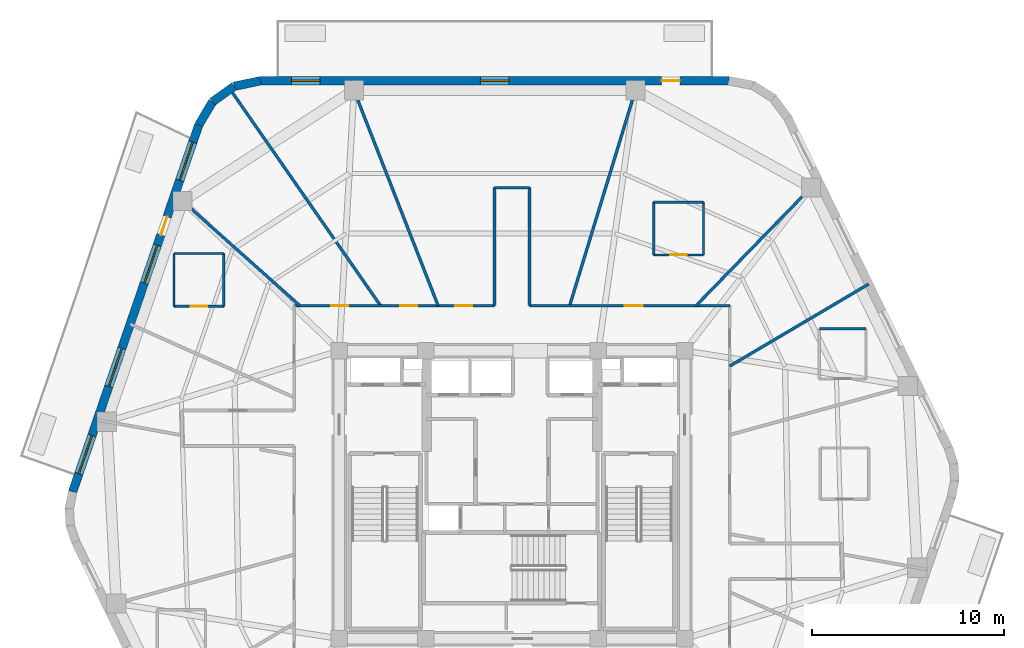
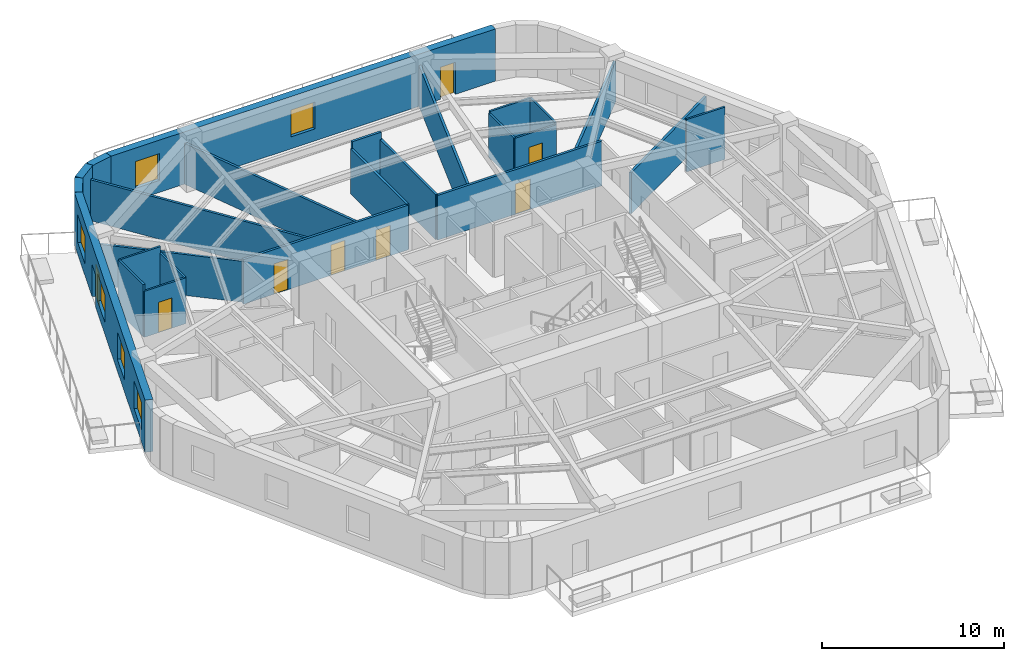
# One storey, part 6 of 9: 25 walls, 8 doors, 6 windows, 14 openings.
"""IFC4 building model written with IfcOpenShell, lengths in metres."""

from ifc_helpers import new_model, si_unit, direction, frame, frame_2d, origin, place, context, subcontext, project, spatial, rectangle, extrude, material, layer, layer_set, type_object, element, fill, save


model = new_model("IFC4")

# Units and contexts
model_context = context("Model", 3, precision=1e-05, world=origin(), true_north=direction((0.0, 1.0)))
body_context = subcontext(model_context, "Body", "Model", "MODEL_VIEW")
ifc_project = project(units=[si_unit("LENGTHUNIT", "METRE"), si_unit("AREAUNIT", "SQUARE_METRE"), si_unit("VOLUMEUNIT", "CUBIC_METRE"), si_unit("PLANEANGLEUNIT", "RADIAN"), si_unit("MASSUNIT", "GRAM", prefix="KILO")], contexts=[model_context])

# Site, building, storey
site_placement = place(None, origin())
site = spatial("IfcSite", under=ifc_project, at=site_placement, CompositionType="ELEMENT")
building_placement = place(site_placement, origin())
building = spatial("IfcBuilding", under=site, at=building_placement, Name="Kilnhurst Terrace Hotel", CompositionType="ELEMENT")
storey_placement = place(building_placement, frame((0.0, 0.0, 229.300048828125)))
storey = spatial("IfcBuildingStorey", under=building, at=storey_placement, Name="L57", CompositionType="ELEMENT", Elevation=229.300048828125)

# Walls
ifc_material_1 = material(Name="Precast concrete C40/50", Category="concrete")
ifc_layer_1 = layer(ifc_material_1, 0.449951171875, Name="Precast concrete C40/50")
ifc_layer_set_1 = layer_set([ifc_layer_1], Name="Precast concrete C40/50")
wall_type_1 = type_object("IfcWallType", Name="WL-BRK-450", PredefinedType="SOLIDWALL", material=ifc_layer_set_1)
wall_1_placement = place(storey_placement, frame((-13.1015625, 21.574951171875, 0.0), z_axis=(0.0, 0.0, 1.0), x_axis=(-0.978757421505, -0.205021730188, 0.0)))
element("IfcWall", 1, at=wall_1_placement, inside=storey, type_object=wall_type_1, Name="L57 Rounded Corner Brick Wall C5.1", PredefinedType="SOLIDWALL", context=body_context, shape_type="SweptSolid", body=[
    extrude(rectangle(XDim=1.40625, YDim=0.449951171875, at=frame_2d((0.703125, 0.0))), origin(), (0.0, 0.0, 1.0), 3.5),
])
wall_2_placement = place(storey_placement, frame((-14.47802734375, 21.28662109375, 0.0), z_axis=(0.0, 0.0, 1.0), x_axis=(-0.813888518617, -0.58102106611, 0.0)))
element("IfcWall", 2, at=wall_2_placement, inside=storey, type_object=wall_type_1, Name="L57 Rounded Corner Brick Wall C5.2", PredefinedType="SOLIDWALL", context=body_context, shape_type="SweptSolid", body=[
    extrude(rectangle(XDim=1.3828125, YDim=0.449951171875, at=frame_2d((0.69140625, 0.0))), origin(), (0.0, 0.0, 1.0), 3.5),
])
wall_3_placement = place(storey_placement, frame((-15.603515625, 20.483154296875, 0.0), z_axis=(0.0, 0.0, 1.0), x_axis=(-0.512222149036, -0.858852996756, 0.0)))
element("IfcWall", 3, at=wall_3_placement, inside=storey, type_object=wall_type_1, Name="L57 Rounded Corner Brick Wall C5.3", PredefinedType="SOLIDWALL", context=body_context, shape_type="SweptSolid", body=[
    extrude(rectangle(XDim=1.406494140625, YDim=0.449951171875, at=frame_2d((0.703125, 0.0))), origin(), (0.0, 0.0, 1.0), 3.5),
])

# Wall, openings, door, windows
wall_4_placement = place(storey_placement, frame((11.297607421875, 21.574951171875, 0.0), z_axis=(0.0, 0.0, 1.0), x_axis=(-1.0, 0.0, 0.0)))
wall_4 = element("IfcWall", 4, at=wall_4_placement, inside=storey, type_object=wall_type_1, Name="L57 Exterior Brick Facade Wall F4", PredefinedType="SOLIDWALL", context=body_context, shape_type="SweptSolid", body=[
    extrude(rectangle(XDim=24.399169921875, YDim=0.449951171875, at=frame_2d((12.19970703125, 0.0))), origin(), (0.0, 0.0, 1.0), 3.5),
])
opening_1_placement = place(wall_4_placement, frame((2.550048828125, 0.0, 0.0)))
opening_1 = element("IfcOpeningElement", 5, at=opening_1_placement, cuts=wall_4, Name="Opening BD-950", PredefinedType="OPENING", context=body_context, shape_type="SweptSolid", body=[
    extrude(rectangle(XDim=0.949951171875, YDim=2.14990234375, at=frame_2d((0.47509765625, 1.074951171875))), frame((0.0, 0.23486328125, 0.0), z_axis=(0.0, -1.0, 0.0), x_axis=(1.0, 0.0, 0.0)), (0.0, 0.0, 1.0), 0.469970703125),
])
opening_2_placement = place(wall_4_placement, frame((11.450927734375, 0.0, 0.800048828125)))
opening_2 = element("IfcOpeningElement", 6, at=opening_2_placement, cuts=wall_4, Name="Opening W-02", PredefinedType="OPENING", context=body_context, shape_type="SweptSolid", body=[
    extrude(rectangle(XDim=1.5, YDim=1.800048828125, at=frame_2d((0.75, 0.89990234375))), frame((0.0, 0.23486328125, 0.0), z_axis=(0.0, -1.0, 0.0), x_axis=(1.0, 0.0, 0.0)), (0.0, 0.0, 1.0), 0.469970703125),
])
opening_3_placement = place(wall_4_placement, frame((21.2958984375, 0.0, 0.800048828125)))
opening_3 = element("IfcOpeningElement", 7, at=opening_3_placement, cuts=wall_4, Name="Opening W-02", PredefinedType="OPENING", context=body_context, shape_type="SweptSolid", body=[
    extrude(rectangle(XDim=1.5, YDim=1.800048828125, at=frame_2d((0.75, 0.89990234375))), frame((0.0, 0.23486328125, 0.0), z_axis=(0.0, -1.0, 0.0), x_axis=(1.0, 0.0, 0.0)), (0.0, 0.0, 1.0), 0.469970703125),
])
ifc_material_2 = material(Name="Thermally Broken Bronze Aluminium Alloy 6063-T6 and Laminated Glass", Category="aluminium")
door_type_1 = type_object("IfcDoorType", Name="DR-EXT-BAL-950", OperationType="NOTDEFINED", PredefinedType="DOOR", material=ifc_material_2)
door_1_placement = place(opening_1_placement, origin())
door_1 = element("IfcDoor", 8, at=door_1_placement, inside=storey, type_object=door_type_1, Name="L57 Planted Balcony Door BAL-L2A", OperationType="SINGLE_SWING_RIGHT", OverallHeight=2.14990234375, OverallWidth=0.949951171875, PredefinedType="DOOR", context=body_context, shape_type="SweptSolid", body=[
    extrude(rectangle(XDim=0.949951171875, YDim=2.14990234375, at=frame_2d((0.47509765625, 1.074951171875))), frame((0.0, 0.02490234375, 0.0), z_axis=(0.0, -1.0, 0.0), x_axis=(1.0, 0.0, 0.0)), (0.0, 0.0, 1.0), 0.050048828125),
])
fill(opening_1, door_1)
ifc_material_3 = material(Name="Thermally Broken Bronze Aluminium Alloy 6063-T6 and Low-E Glass", Category="aluminium")
window_type_1 = type_object("IfcWindowType", Name="WIN-1500X1800", PartitioningType="SINGLE_PANEL", PredefinedType="WINDOW", material=ifc_material_3)
window_1_placement = place(opening_2_placement, origin())
window_1 = element("IfcWindow", 9, at=window_1_placement, inside=storey, type_object=window_type_1, Name="L57 Deep-Set Masonry Window F4.1", OverallHeight=1.800048828125, OverallWidth=1.5, PartitioningType="SINGLE_PANEL", PredefinedType="WINDOW", context=body_context, shape_type="SweptSolid", body=[
    extrude(rectangle(XDim=1.5, YDim=1.800048828125, at=frame_2d((0.75, 0.89990234375))), frame((0.0, 0.030029296875, 0.0), z_axis=(0.0, -1.0, 0.0), x_axis=(1.0, 0.0, 0.0)), (0.0, 0.0, 1.0), 0.06005859375),
])
fill(opening_2, window_1)
window_2_placement = place(opening_3_placement, origin())
window_2 = element("IfcWindow", 10, at=window_2_placement, inside=storey, type_object=window_type_1, Name="L57 Deep-Set Masonry Window F4.2", OverallHeight=1.800048828125, OverallWidth=1.5, PartitioningType="SINGLE_PANEL", PredefinedType="WINDOW", context=body_context, shape_type="SweptSolid", body=[
    extrude(rectangle(XDim=1.5, YDim=1.800048828125, at=frame_2d((0.75, 0.89990234375))), frame((0.0, 0.030029296875, 0.0), z_axis=(0.0, -1.0, 0.0), x_axis=(1.0, 0.0, 0.0)), (0.0, 0.0, 1.0), 0.06005859375),
])
fill(opening_3, window_2)

wall_5_placement = place(storey_placement, frame((-16.323974609375, 19.275146484375, 0.0), z_axis=(0.0, 0.0, 1.0), x_axis=(-0.325083142304, -0.945685439557, 0.0)))
wall_5 = element("IfcWall", 11, at=wall_5_placement, inside=storey, type_object=wall_type_1, Name="L57 Exterior Brick Facade Wall F5", PredefinedType="SOLIDWALL", context=body_context, shape_type="SweptSolid", body=[
    extrude(rectangle(XDim=20.223876953125, YDim=0.449951171875, at=frame_2d((10.11181640625, 0.0))), origin(), (0.0, 0.0, 1.0), 3.5),
])
opening_4_placement = place(wall_5_placement, frame((5.06201171875, 0.0, 0.0)))
opening_4 = element("IfcOpeningElement", 12, at=opening_4_placement, cuts=wall_5, Name="Opening BD-1000", PredefinedType="OPENING", context=body_context, shape_type="SweptSolid", body=[
    extrude(rectangle(XDim=1.0, YDim=2.14990234375, at=frame_2d((0.5, 1.074951171875))), frame((0.0, 0.23486328125, 0.0), z_axis=(0.0, -1.0, 0.0), x_axis=(1.0, 0.0, 0.0)), (0.0, 0.0, 1.0), 0.469970703125),
])
opening_5_placement = place(wall_5_placement, frame((0.952880859375, 0.0, 0.800048828125)))
opening_5 = element("IfcOpeningElement", 13, at=opening_5_placement, cuts=wall_5, Name="Opening W-04", PredefinedType="OPENING", context=body_context, shape_type="SweptSolid", body=[
    extrude(rectangle(XDim=2.10009765625, YDim=1.85009765625, at=frame_2d((1.050048828125, 0.925048828125))), frame((0.0, 0.23486328125, 0.0), z_axis=(0.0, -1.0, 0.0), x_axis=(1.0, 0.0, 0.0)), (0.0, 0.0, 1.0), 0.469970703125),
])
opening_6_placement = place(wall_5_placement, frame((6.62890625, 0.0, 0.800048828125)))
opening_6 = element("IfcOpeningElement", 14, at=opening_6_placement, cuts=wall_5, Name="Opening W-04", PredefinedType="OPENING", context=body_context, shape_type="SweptSolid", body=[
    extrude(rectangle(XDim=2.10009765625, YDim=1.85009765625, at=frame_2d((1.050048828125, 0.925048828125))), frame((0.0, 0.23486328125, 0.0), z_axis=(0.0, -1.0, 0.0), x_axis=(1.0, 0.0, 0.0)), (0.0, 0.0, 1.0), 0.469970703125),
])
opening_7_placement = place(wall_5_placement, frame((12.31201171875, 0.0, 0.800048828125)))
opening_7 = element("IfcOpeningElement", 15, at=opening_7_placement, cuts=wall_5, Name="Opening W-04", PredefinedType="OPENING", context=body_context, shape_type="SweptSolid", body=[
    extrude(rectangle(XDim=2.10009765625, YDim=1.85009765625, at=frame_2d((1.050048828125, 0.925048828125))), frame((0.0, 0.23486328125, 0.0), z_axis=(0.0, -1.0, 0.0), x_axis=(1.0, 0.0, 0.0)), (0.0, 0.0, 1.0), 0.469970703125),
])
opening_8_placement = place(wall_5_placement, frame((17.117919921875, 0.0, 0.800048828125)))
opening_8 = element("IfcOpeningElement", 16, at=opening_8_placement, cuts=wall_5, Name="Opening W-04", PredefinedType="OPENING", context=body_context, shape_type="SweptSolid", body=[
    extrude(rectangle(XDim=2.10009765625, YDim=1.85009765625, at=frame_2d((1.050048828125, 0.925048828125))), frame((0.0, 0.23486328125, 0.0), z_axis=(0.0, -1.0, 0.0), x_axis=(1.0, 0.0, 0.0)), (0.0, 0.0, 1.0), 0.469970703125),
])
door_type_2 = type_object("IfcDoorType", Name="DR-EXT-BAL-1000", OperationType="NOTDEFINED", PredefinedType="DOOR", material=ifc_material_2)
door_2_placement = place(opening_4_placement, origin())
door_2 = element("IfcDoor", 17, at=door_2_placement, inside=storey, type_object=door_type_2, Name="L57 Planted Balcony Door BAL-L2B", OperationType="SINGLE_SWING_LEFT", OverallHeight=2.14990234375, OverallWidth=1.0, PredefinedType="DOOR", context=body_context, shape_type="SweptSolid", body=[
    extrude(rectangle(XDim=1.0, YDim=2.14990234375, at=frame_2d((0.5, 1.074951171875))), frame((0.0, 0.02490234375, 0.0), z_axis=(0.0, -1.0, 0.0), x_axis=(1.0, 0.0, 0.0)), (0.0, 0.0, 1.0), 0.050048828125),
])
fill(opening_4, door_2)
window_type_2 = type_object("IfcWindowType", Name="WIN-2100X1850", PartitioningType="SINGLE_PANEL", PredefinedType="WINDOW", material=ifc_material_3)
window_3_placement = place(opening_5_placement, origin())
window_3 = element("IfcWindow", 18, at=window_3_placement, inside=storey, type_object=window_type_2, Name="L57 Deep-Set Masonry Window F5.1", OverallHeight=1.85009765625, OverallWidth=2.10009765625, PartitioningType="SINGLE_PANEL", PredefinedType="WINDOW", context=body_context, shape_type="SweptSolid", body=[
    extrude(rectangle(XDim=2.10009765625, YDim=1.85009765625, at=frame_2d((1.050048828125, 0.925048828125))), frame((0.0, 0.030029296875, 0.0), z_axis=(0.0, -1.0, 0.0), x_axis=(1.0, 0.0, 0.0)), (0.0, 0.0, 1.0), 0.06005859375),
])
fill(opening_5, window_3)
window_4_placement = place(opening_6_placement, origin())
window_4 = element("IfcWindow", 19, at=window_4_placement, inside=storey, type_object=window_type_2, Name="L57 Deep-Set Masonry Window F5.2", OverallHeight=1.85009765625, OverallWidth=2.10009765625, PartitioningType="SINGLE_PANEL", PredefinedType="WINDOW", context=body_context, shape_type="SweptSolid", body=[
    extrude(rectangle(XDim=2.10009765625, YDim=1.85009765625, at=frame_2d((1.050048828125, 0.925048828125))), frame((0.0, 0.030029296875, 0.0), z_axis=(0.0, -1.0, 0.0), x_axis=(1.0, 0.0, 0.0)), (0.0, 0.0, 1.0), 0.06005859375),
])
fill(opening_6, window_4)
window_5_placement = place(opening_7_placement, origin())
window_5 = element("IfcWindow", 20, at=window_5_placement, inside=storey, type_object=window_type_2, Name="L57 Deep-Set Masonry Window F5.3", OverallHeight=1.85009765625, OverallWidth=2.10009765625, PartitioningType="SINGLE_PANEL", PredefinedType="WINDOW", context=body_context, shape_type="SweptSolid", body=[
    extrude(rectangle(XDim=2.10009765625, YDim=1.85009765625, at=frame_2d((1.050048828125, 0.925048828125))), frame((0.0, 0.030029296875, 0.0), z_axis=(0.0, -1.0, 0.0), x_axis=(1.0, 0.0, 0.0)), (0.0, 0.0, 1.0), 0.06005859375),
])
fill(opening_7, window_5)
window_6_placement = place(opening_8_placement, origin())
window_6 = element("IfcWindow", 21, at=window_6_placement, inside=storey, type_object=window_type_2, Name="L57 Deep-Set Masonry Window F5.4", OverallHeight=1.85009765625, OverallWidth=2.10009765625, PartitioningType="SINGLE_PANEL", PredefinedType="WINDOW", context=body_context, shape_type="SweptSolid", body=[
    extrude(rectangle(XDim=2.10009765625, YDim=1.85009765625, at=frame_2d((1.050048828125, 0.925048828125))), frame((0.0, 0.030029296875, 0.0), z_axis=(0.0, -1.0, 0.0), x_axis=(1.0, 0.0, 0.0)), (0.0, 0.0, 1.0), 0.06005859375),
])
fill(opening_8, window_6)

# Wall, openings, doors
ifc_material_4 = material(Name="Acoustic Double-Gypsum Corridor Partition Assembly")
ifc_layer_2 = layer(ifc_material_4, 0.14990234375, Name="Acoustic Double-Gypsum Corridor Partition Assembly")
ifc_layer_set_2 = layer_set([ifc_layer_2], Name="Acoustic Double-Gypsum Corridor Partition Assembly")
wall_type_2 = type_object("IfcWallType", Name="WL-COR-150", PredefinedType="PARTITIONING", material=ifc_layer_set_2)
wall_6_placement = place(storey_placement, frame((-11.35009765625, 9.85009765625, 0.0), z_axis=(0.0, 0.0, 1.0), x_axis=(1.0, 0.0, 0.0)))
wall_6 = element("IfcWall", 22, at=wall_6_placement, inside=storey, type_object=wall_type_2, Name="L57 Interior Wall WL-L57-COR-06", PredefinedType="PARTITIONING", context=body_context, shape_type="SweptSolid", body=[
    extrude(rectangle(XDim=10.43017578125, YDim=0.14990234375, at=frame_2d((5.215087890625, 0.0))), origin(), (0.0, 0.0, 1.0), 2.989990234375),
])
opening_9_placement = place(wall_6_placement, frame((8.386962890625, 0.0, 0.0)))
opening_9 = element("IfcOpeningElement", 23, at=opening_9_placement, cuts=wall_6, Name="Opening D-60C", PredefinedType="OPENING", context=body_context, shape_type="SweptSolid", body=[
    extrude(rectangle(XDim=0.89990234375, YDim=2.030029296875, at=frame_2d((0.449951171875, 1.01513671875))), frame((0.0, 0.0849609375, 0.0), z_axis=(0.0, -1.0, 0.0), x_axis=(1.0, 0.0, 0.0)), (0.0, 0.0, 1.0), 0.169921875),
])
opening_10_placement = place(wall_6_placement, frame((5.52490234375, 0.0, 0.0)))
opening_10 = element("IfcOpeningElement", 24, at=opening_10_placement, cuts=wall_6, Name="Opening D-60C", PredefinedType="OPENING", context=body_context, shape_type="SweptSolid", body=[
    extrude(rectangle(XDim=0.89990234375, YDim=2.030029296875, at=frame_2d((0.449951171875, 1.01513671875))), frame((0.0, 0.0849609375, 0.0), z_axis=(0.0, -1.0, 0.0), x_axis=(1.0, 0.0, 0.0)), (0.0, 0.0, 1.0), 0.169921875),
])
opening_11_placement = place(wall_6_placement, frame((1.9208984375, 0.0, 0.0)))
opening_11 = element("IfcOpeningElement", 25, at=opening_11_placement, cuts=wall_6, Name="Opening D-60C", PredefinedType="OPENING", context=body_context, shape_type="SweptSolid", body=[
    extrude(rectangle(XDim=0.89990234375, YDim=2.030029296875, at=frame_2d((0.449951171875, 1.01513671875))), frame((0.0, 0.0849609375, 0.0), z_axis=(0.0, -1.0, 0.0), x_axis=(1.0, 0.0, 0.0)), (0.0, 0.0, 1.0), 0.169921875),
])
ifc_material_5 = material(Name="Painted Solid-Core Service Fire Door")
door_type_3 = type_object("IfcDoorType", Name="DR-FD60-900", OperationType="NOTDEFINED", PredefinedType="DOOR", material=ifc_material_5)
door_3_placement = place(opening_9_placement, origin())
door_3 = element("IfcDoor", 26, at=door_3_placement, inside=storey, type_object=door_type_3, Name="L57 Executive Work Office Door 4", OperationType="SINGLE_SWING_RIGHT", OverallHeight=2.030029296875, OverallWidth=0.89990234375, PredefinedType="DOOR", context=body_context, shape_type="SweptSolid", body=[
    extrude(rectangle(XDim=0.89990234375, YDim=2.030029296875, at=frame_2d((0.449951171875, 1.01513671875))), frame((0.0, 0.02490234375, 0.0), z_axis=(0.0, -1.0, 0.0), x_axis=(1.0, 0.0, 0.0)), (0.0, 0.0, 1.0), 0.050048828125),
])
fill(opening_9, door_3)
door_4_placement = place(opening_10_placement, origin())
door_4 = element("IfcDoor", 27, at=door_4_placement, inside=storey, type_object=door_type_3, Name="L57 Botanical Reading Lounge Door 5", OperationType="SINGLE_SWING_LEFT", OverallHeight=2.030029296875, OverallWidth=0.89990234375, PredefinedType="DOOR", context=body_context, shape_type="SweptSolid", body=[
    extrude(rectangle(XDim=0.89990234375, YDim=2.030029296875, at=frame_2d((0.449951171875, 1.01513671875))), frame((0.0, 0.02490234375, 0.0), z_axis=(0.0, -1.0, 0.0), x_axis=(1.0, 0.0, 0.0)), (0.0, 0.0, 1.0), 0.050048828125),
])
fill(opening_10, door_4)
door_5_placement = place(opening_11_placement, origin())
door_5 = element("IfcDoor", 28, at=door_5_placement, inside=storey, type_object=door_type_3, Name="L57 Private Meeting Salon Door 6", OperationType="SINGLE_SWING_RIGHT", OverallHeight=2.030029296875, OverallWidth=0.89990234375, PredefinedType="DOOR", context=body_context, shape_type="SweptSolid", body=[
    extrude(rectangle(XDim=0.89990234375, YDim=2.030029296875, at=frame_2d((0.449951171875, 1.01513671875))), frame((0.0, 0.02490234375, 0.0), z_axis=(0.0, -1.0, 0.0), x_axis=(1.0, 0.0, 0.0)), (0.0, 0.0, 1.0), 0.050048828125),
])
fill(opening_11, door_5)

# Walls
wall_7_placement = place(storey_placement, frame((-0.919921875, 9.85009765625, 0.0), z_axis=(0.0, 0.0, 1.0), x_axis=(0.0, 1.0, 0.0)))
element("IfcWall", 29, at=wall_7_placement, inside=storey, type_object=wall_type_2, Name="L57 Interior Wall WL-L57-COR-07", PredefinedType="PARTITIONING", context=body_context, shape_type="SweptSolid", body=[
    extrude(rectangle(XDim=6.14990234375, YDim=0.14990234375, at=frame_2d((3.074951171875, 0.0))), origin(), (0.0, 0.0, 1.0), 3.0263671875),
])
wall_8_placement = place(storey_placement, frame((-0.919921875, 16.0, 0.0), z_axis=(0.0, 0.0, 1.0), x_axis=(1.0, 0.0, 0.0)))
element("IfcWall", 30, at=wall_8_placement, inside=storey, type_object=wall_type_2, Name="L57 Interior Wall WL-L57-COR-08", PredefinedType="PARTITIONING", context=body_context, shape_type="SweptSolid", body=[
    extrude(rectangle(XDim=1.83984375, YDim=0.14990234375, at=frame_2d((0.919921875, 0.0))), origin(), (0.0, 0.0, 1.0), 3.5),
])
wall_9_placement = place(storey_placement, frame((0.919921875, 16.0, 0.0), z_axis=(0.0, 0.0, 1.0), x_axis=(0.0, -1.0, 0.0)))
element("IfcWall", 31, at=wall_9_placement, inside=storey, type_object=wall_type_2, Name="L57 Interior Wall WL-L57-COR-09", PredefinedType="PARTITIONING", context=body_context, shape_type="SweptSolid", body=[
    extrude(rectangle(XDim=6.14990234375, YDim=0.14990234375, at=frame_2d((3.074951171875, 0.0))), origin(), (0.0, 0.0, 1.0), 3.0263671875),
])

# Wall, opening, door
wall_10_placement = place(storey_placement, frame((0.919921875, 9.85009765625, 0.0), z_axis=(0.0, 0.0, 1.0), x_axis=(1.0, 0.0, 0.0)))
wall_10 = element("IfcWall", 32, at=wall_10_placement, inside=storey, type_object=wall_type_2, Name="L57 Interior Wall WL-L57-COR-10", PredefinedType="PARTITIONING", context=body_context, shape_type="SweptSolid", body=[
    extrude(rectangle(XDim=10.43017578125, YDim=0.14990234375, at=frame_2d((5.215087890625, 0.0))), origin(), (0.0, 0.0, 1.0), 2.989990234375),
])
opening_12_placement = place(wall_10_placement, frame((4.948974609375, 0.0, 0.0)))
opening_12 = element("IfcOpeningElement", 33, at=opening_12_placement, cuts=wall_10, Name="Opening D-60B", PredefinedType="OPENING", context=body_context, shape_type="SweptSolid", body=[
    extrude(rectangle(XDim=0.949951171875, YDim=2.030029296875, at=frame_2d((0.47509765625, 1.01513671875))), frame((0.0, 0.0849609375, 0.0), z_axis=(0.0, -1.0, 0.0), x_axis=(1.0, 0.0, 0.0)), (0.0, 0.0, 1.0), 0.169921875),
])
ifc_material_6 = material(Name="Acoustic Walnut Veneer Solid-Core Fire Door")
door_type_4 = type_object("IfcDoorType", Name="DR-FD60-950", OperationType="NOTDEFINED", PredefinedType="DOOR", material=ifc_material_6)
door_6_placement = place(opening_12_placement, origin())
door_6 = element("IfcDoor", 34, at=door_6_placement, inside=storey, type_object=door_type_4, Name="L57 Executive Suite Entry Door 3", OperationType="SINGLE_SWING_LEFT", OverallHeight=2.030029296875, OverallWidth=0.949951171875, PredefinedType="DOOR", context=body_context, shape_type="SweptSolid", body=[
    extrude(rectangle(XDim=0.949951171875, YDim=2.030029296875, at=frame_2d((0.47509765625, 1.01513671875))), frame((0.0, 0.02490234375, 0.0), z_axis=(0.0, -1.0, 0.0), x_axis=(1.0, 0.0, 0.0)), (0.0, 0.0, 1.0), 0.050048828125),
])
fill(opening_12, door_6)

# Walls
ifc_material_7 = material(Name="STC-58 Acoustic Twin-Frame Guestroom Demising Partition")
ifc_layer_3 = layer(ifc_material_7, 0.14990234375, Name="STC-58 Acoustic Twin-Frame Guestroom Demising Partition")
ifc_layer_set_3 = layer_set([ifc_layer_3], Name="STC-58 Acoustic Twin-Frame Guestroom Demising Partition")
wall_type_3 = type_object("IfcWallType", Name="WL-DEM-150", PredefinedType="PARTITIONING", material=ifc_layer_set_3)
wall_11_placement = place(storey_placement, frame((11.35009765625, 6.705078125, 0.0), z_axis=(0.0, 0.0, 1.0), x_axis=(0.86097625004, 0.508645158108, 0.0)))
element("IfcWall", 35, at=wall_11_placement, inside=storey, type_object=wall_type_3, Name="L57 Interior Wall WL-L57-DEM-MID01-02-1", PredefinedType="PARTITIONING", context=body_context, shape_type="SweptSolid", body=[
    extrude(rectangle(XDim=8.406005859375, YDim=0.14990234375, at=frame_2d((4.203125, 0.0))), origin(), (0.0, 0.0, 1.0), 2.739990234375),
])
wall_12_placement = place(storey_placement, frame((9.587890625, 9.85009765625, 0.0), z_axis=(0.0, 0.0, 1.0), x_axis=(0.697519469595, 0.716565830567, 0.0)))
element("IfcWall", 36, at=wall_12_placement, inside=storey, type_object=wall_type_3, Name="L57 Interior Wall WL-L57-DEM-COL02-03-1", PredefinedType="PARTITIONING", context=body_context, shape_type="SweptSolid", body=[
    extrude(rectangle(XDim=9.12646484375, YDim=0.14990234375, at=frame_2d((4.563232421875, 0.0))), origin(), (0.0, 0.0, 1.0), 2.739990234375),
])
wall_13_placement = place(storey_placement, frame((3.00439453125, 9.85009765625, 0.0), z_axis=(0.0, 0.0, 1.0), x_axis=(0.291775760688, 0.956486751333, 0.0)))
element("IfcWall", 37, at=wall_13_placement, inside=storey, type_object=wall_type_3, Name="L57 Interior Wall WL-L57-DEM-COL03-04-1", PredefinedType="PARTITIONING", context=body_context, shape_type="SweptSolid", body=[
    extrude(rectangle(XDim=12.25830078125, YDim=0.14990234375, at=frame_2d((6.129150390625, 0.0))), origin(), (0.0, 0.0, 1.0), 2.739990234375),
])
wall_14_placement = place(storey_placement, frame((-3.848388671875, 9.85009765625, 0.0), z_axis=(0.0, 0.0, 1.0), x_axis=(-0.363921778212, 0.931429513889, 0.0)))
element("IfcWall", 38, at=wall_14_placement, inside=storey, type_object=wall_type_3, Name="L57 Interior Wall WL-L57-DEM-COL04-05-1", PredefinedType="PARTITIONING", context=body_context, shape_type="SweptSolid", body=[
    extrude(rectangle(XDim=12.588134765625, YDim=0.14990234375, at=frame_2d((6.2939453125, 0.0))), origin(), (0.0, 0.0, 1.0), 2.739990234375),
])
wall_15_placement = place(storey_placement, frame((-6.848876953125, 9.85009765625, 0.0), z_axis=(0.0, 0.0, 1.0), x_axis=(-0.570871709026, 0.821039275451, 0.0)))
element("IfcWall", 39, at=wall_15_placement, inside=storey, type_object=wall_type_3, Name="L57 Interior Wall WL-L57-DEM-MID04-06-1", PredefinedType="PARTITIONING", context=body_context, shape_type="SweptSolid", body=[
    extrude(rectangle(XDim=13.581787109375, YDim=0.14990234375, at=frame_2d((6.791015625, 0.0))), origin(), (0.0, 0.0, 1.0), 2.739990234375),
])
wall_16_placement = place(storey_placement, frame((-11.04833984375, 9.85009765625, 0.0), z_axis=(0.0, 0.0, 1.0), x_axis=(-0.746444434655, 0.665447748492, 0.0)))
element("IfcWall", 40, at=wall_16_placement, inside=storey, type_object=wall_type_3, Name="L57 Interior Wall WL-L57-DEM-COL05-07-1", PredefinedType="PARTITIONING", context=body_context, shape_type="SweptSolid", body=[
    extrude(rectangle(XDim=8.732177734375, YDim=0.14990234375, at=frame_2d((4.3662109375, 0.0))), origin(), (0.0, 0.0, 1.0), 2.739990234375),
])
ifc_material_8 = material(Name="120 mm Moisture-Resistant Tile-Backed Bathroom Partition")
ifc_layer_4 = layer(ifc_material_8, 0.1201171875, Name="120 mm Moisture-Resistant Tile-Backed Bathroom Partition")
ifc_layer_set_4 = layer_set([ifc_layer_4], Name="120 mm Moisture-Resistant Tile-Backed Bathroom Partition")
wall_type_4 = type_object("IfcWallType", Name="WL-PART-120", PredefinedType="PARTITIONING", material=ifc_layer_set_4)
wall_17_placement = place(storey_placement, frame((18.451904296875, 8.64404296875, 0.0), z_axis=(0.0, 0.0, 1.0), x_axis=(-1.0, 0.0, 0.0)))
element("IfcWall", 41, at=wall_17_placement, inside=storey, type_object=wall_type_4, Name="L57 Interior Wall WL-L57-BTH-01-3", PredefinedType="PARTITIONING", context=body_context, shape_type="SweptSolid", body=[
    extrude(rectangle(XDim=2.43994140625, YDim=0.1201171875, at=frame_2d((1.219970703125, 0.0))), origin(), (0.0, 0.0, 1.0), 3.5),
])

# Wall, opening, door
wall_18_placement = place(storey_placement, frame((7.383056640625, 12.4970703125, 0.0), z_axis=(0.0, 0.0, 1.0), x_axis=(1.0, 0.0, 0.0)))
wall_18 = element("IfcWall", 42, at=wall_18_placement, inside=storey, type_object=wall_type_4, Name="L57 Interior Wall WL-L57-BTH-03-1", PredefinedType="PARTITIONING", context=body_context, shape_type="SweptSolid", body=[
    extrude(rectangle(XDim=2.599853515625, YDim=0.1201171875, at=frame_2d((1.2998046875, 0.0))), origin(), (0.0, 0.0, 1.0), 2.9404296875),
])
opening_13_placement = place(wall_18_placement, frame((0.875, 0.0, 0.0)))
opening_13 = element("IfcOpeningElement", 43, at=opening_13_placement, cuts=wall_18, Name="Opening D-08A", PredefinedType="OPENING", context=body_context, shape_type="SweptSolid", body=[
    extrude(rectangle(XDim=0.85009765625, YDim=2.030029296875, at=frame_2d((0.425048828125, 1.01513671875))), frame((0.0, 0.070068359375, 0.0), z_axis=(0.0, -1.0, 0.0), x_axis=(1.0, 0.0, 0.0)), (0.0, 0.0, 1.0), 0.14013671875),
])
ifc_material_9 = material(Name="Moisture-Resistant Lacquered En-suite Bathroom Door")
door_type_5 = type_object("IfcDoorType", Name="DR-INT-850", OperationType="NOTDEFINED", PredefinedType="DOOR", material=ifc_material_9)
door_7_placement = place(opening_13_placement, origin())
door_7 = element("IfcDoor", 44, at=door_7_placement, inside=storey, type_object=door_type_5, Name="L57 En-suite Bathroom Door 3", OperationType="SINGLE_SWING_RIGHT", OverallHeight=2.030029296875, OverallWidth=0.85009765625, PredefinedType="DOOR", context=body_context, shape_type="SweptSolid", body=[
    extrude(rectangle(XDim=0.85009765625, YDim=2.030029296875, at=frame_2d((0.425048828125, 1.01513671875))), frame((0.0, 0.02490234375, 0.0), z_axis=(0.0, -1.0, 0.0), x_axis=(1.0, 0.0, 0.0)), (0.0, 0.0, 1.0), 0.050048828125),
])
fill(opening_13, door_7)

# Walls
wall_19_placement = place(storey_placement, frame((9.98291015625, 12.4970703125, 0.0), z_axis=(0.0, 0.0, 1.0), x_axis=(0.0, 1.0, 0.0)))
element("IfcWall", 45, at=wall_19_placement, inside=storey, type_object=wall_type_4, Name="L57 Interior Wall WL-L57-BTH-03-2", PredefinedType="PARTITIONING", context=body_context, shape_type="SweptSolid", body=[
    extrude(rectangle(XDim=2.75, YDim=0.1201171875, at=frame_2d((1.375, 0.0))), origin(), (0.0, 0.0, 1.0), 3.072265625),
])
wall_20_placement = place(storey_placement, frame((9.98291015625, 15.2470703125, 0.0), z_axis=(0.0, 0.0, 1.0), x_axis=(-1.0, 0.0, 0.0)))
element("IfcWall", 46, at=wall_20_placement, inside=storey, type_object=wall_type_4, Name="L57 Interior Wall WL-L57-BTH-03-3", PredefinedType="PARTITIONING", context=body_context, shape_type="SweptSolid", body=[
    extrude(rectangle(XDim=2.599853515625, YDim=0.1201171875, at=frame_2d((1.2998046875, 0.0))), origin(), (0.0, 0.0, 1.0), 3.072265625),
])
wall_21_placement = place(storey_placement, frame((7.383056640625, 15.2470703125, 0.0), z_axis=(0.0, 0.0, 1.0), x_axis=(0.0, -1.0, 0.0)))
element("IfcWall", 47, at=wall_21_placement, inside=storey, type_object=wall_type_4, Name="L57 Interior Wall WL-L57-BTH-03-4", PredefinedType="PARTITIONING", context=body_context, shape_type="SweptSolid", body=[
    extrude(rectangle(XDim=2.75, YDim=0.1201171875, at=frame_2d((1.375, 0.0))), origin(), (0.0, 0.0, 1.0), 2.9404296875),
])

# Wall, opening, door
wall_22_placement = place(storey_placement, frame((-17.616943359375, 9.822998046875, 0.0), z_axis=(0.0, 0.0, 1.0), x_axis=(1.0, 0.0, 0.0)))
wall_22 = element("IfcWall", 48, at=wall_22_placement, inside=storey, type_object=wall_type_4, Name="L57 Interior Wall WL-L57-BTH-07-1", PredefinedType="PARTITIONING", context=body_context, shape_type="SweptSolid", body=[
    extrude(rectangle(XDim=2.599853515625, YDim=0.1201171875, at=frame_2d((1.2998046875, 0.0))), origin(), (0.0, 0.0, 1.0), 3.072265625),
])
opening_14_placement = place(wall_22_placement, frame((0.875, 0.0, 0.0)))
opening_14 = element("IfcOpeningElement", 49, at=opening_14_placement, cuts=wall_22, Name="Opening D-08A", PredefinedType="OPENING", context=body_context, shape_type="SweptSolid", body=[
    extrude(rectangle(XDim=0.85009765625, YDim=2.030029296875, at=frame_2d((0.425048828125, 1.01513671875))), frame((0.0, 0.070068359375, 0.0), z_axis=(0.0, -1.0, 0.0), x_axis=(1.0, 0.0, 0.0)), (0.0, 0.0, 1.0), 0.14013671875),
])
door_8_placement = place(opening_14_placement, origin())
door_8 = element("IfcDoor", 50, at=door_8_placement, inside=storey, type_object=door_type_5, Name="L57 En-suite Bathroom Door 7", OperationType="SINGLE_SWING_RIGHT", OverallHeight=2.030029296875, OverallWidth=0.85009765625, PredefinedType="DOOR", context=body_context, shape_type="SweptSolid", body=[
    extrude(rectangle(XDim=0.85009765625, YDim=2.030029296875, at=frame_2d((0.425048828125, 1.01513671875))), frame((0.0, 0.02490234375, 0.0), z_axis=(0.0, -1.0, 0.0), x_axis=(1.0, 0.0, 0.0)), (0.0, 0.0, 1.0), 0.050048828125),
])
fill(opening_14, door_8)

# Walls
wall_23_placement = place(storey_placement, frame((-15.01708984375, 9.822998046875, 0.0), z_axis=(0.0, 0.0, 1.0), x_axis=(0.0, 1.0, 0.0)))
element("IfcWall", 51, at=wall_23_placement, inside=storey, type_object=wall_type_4, Name="L57 Interior Wall WL-L57-BTH-07-2", PredefinedType="PARTITIONING", context=body_context, shape_type="SweptSolid", body=[
    extrude(rectangle(XDim=2.75, YDim=0.1201171875, at=frame_2d((1.375, 0.0))), origin(), (0.0, 0.0, 1.0), 3.072265625),
])
wall_24_placement = place(storey_placement, frame((-15.01708984375, 12.572998046875, 0.0), z_axis=(0.0, 0.0, 1.0), x_axis=(-1.0, 0.0, 0.0)))
element("IfcWall", 52, at=wall_24_placement, inside=storey, type_object=wall_type_4, Name="L57 Interior Wall WL-L57-BTH-07-3", PredefinedType="PARTITIONING", context=body_context, shape_type="SweptSolid", body=[
    extrude(rectangle(XDim=2.599853515625, YDim=0.1201171875, at=frame_2d((1.2998046875, 0.0))), origin(), (0.0, 0.0, 1.0), 3.5),
])
wall_25_placement = place(storey_placement, frame((-17.616943359375, 12.572998046875, 0.0), z_axis=(0.0, 0.0, 1.0), x_axis=(0.0, -1.0, 0.0)))
element("IfcWall", 53, at=wall_25_placement, inside=storey, type_object=wall_type_4, Name="L57 Interior Wall WL-L57-BTH-07-4", PredefinedType="PARTITIONING", context=body_context, shape_type="SweptSolid", body=[
    extrude(rectangle(XDim=2.75, YDim=0.1201171875, at=frame_2d((1.375, 0.0))), origin(), (0.0, 0.0, 1.0), 3.5),
])

save(model, "model.ifc")
